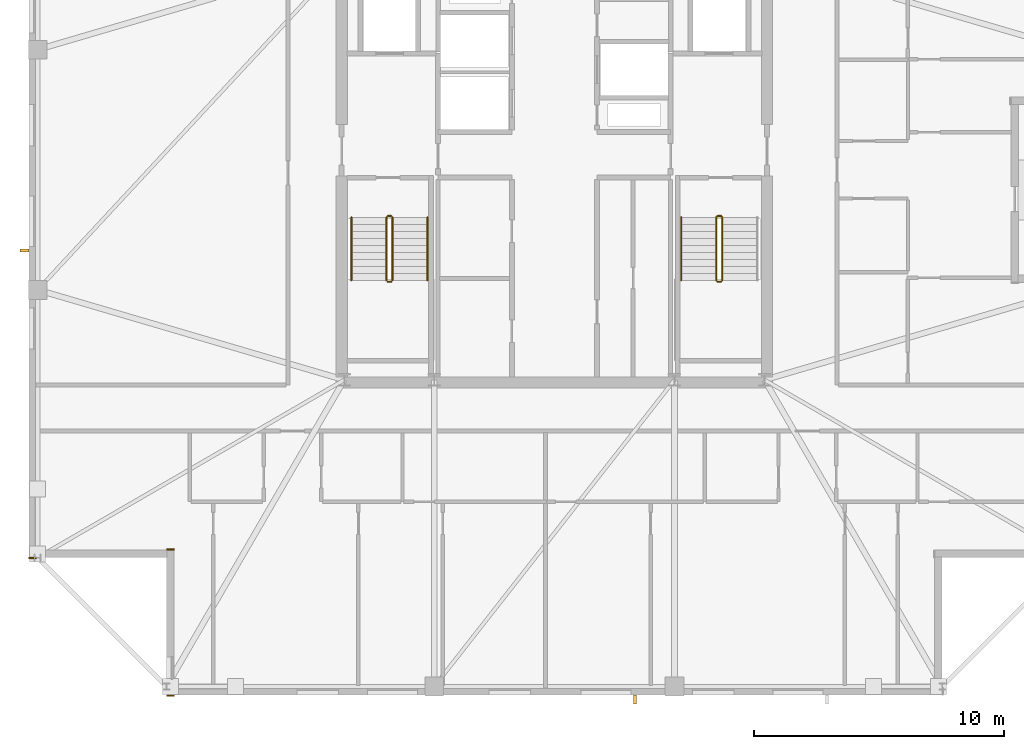
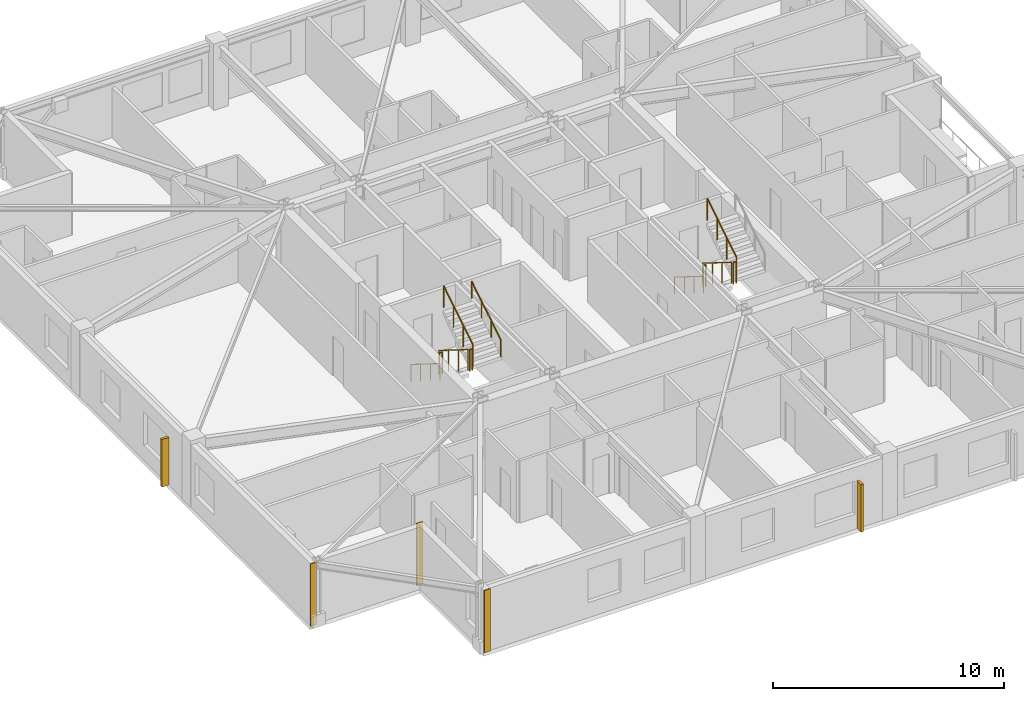
# One storey, part 12 of 14: 11 railings, 3 coverings, 2 shading devices.
"""IFC4 building model written with IfcOpenShell, lengths in metres."""

from ifc_helpers import new_model, si_unit, direction, frame, frame_2d, origin, origin_2d, place, context, subcontext, project, spatial, rectangle, circle, extrude, material, layer, layer_set, type_object, element, save


model = new_model("IFC4")

# Units and contexts
model_context = context("Model", 3, precision=1e-05, world=origin(), true_north=direction((0.0, 1.0)))
body_context = subcontext(model_context, "Body", "Model", "MODEL_VIEW")
ifc_project = project(units=[si_unit("LENGTHUNIT", "METRE"), si_unit("AREAUNIT", "SQUARE_METRE"), si_unit("VOLUMEUNIT", "CUBIC_METRE"), si_unit("PLANEANGLEUNIT", "RADIAN"), si_unit("MASSUNIT", "GRAM", prefix="KILO")], contexts=[model_context])

# Site, building, storey
site_placement = place(None, origin())
site = spatial("IfcSite", under=ifc_project, at=site_placement, CompositionType="ELEMENT")
building_placement = place(site_placement, origin())
building = spatial("IfcBuilding", under=site, at=building_placement, Name="Cairnveth Concourse Tower", CompositionType="ELEMENT")
storey_placement = place(building_placement, frame((0.0, 0.0, 301.5)))
storey = spatial("IfcBuildingStorey", under=building, at=storey_placement, Name="L83", CompositionType="ELEMENT", Elevation=301.5)

# Coverings
ifc_material_1 = material(Name="Dressed Melbourne Bluestone Cladding", Category="masonry")
ifc_layer = layer(ifc_material_1, 0.050048828125)
ifc_layer_set = layer_set([ifc_layer], Name="Dressed Melbourne Bluestone Cladding")
covering_type = type_object("IfcCoveringType", Name="DRESSED BLUESTONE PLINTH CLADDING 50", PredefinedType="CLADDING", material=ifc_layer_set)
for number, where, z_axis, x_axis, name in (
    (1, (36.800048828125, 17.97998046875, 0.0), (0.0, 0.0, 1.0), (-1.0, 0.0, 0.0), "Melbourne Bluestone Corner Quoin L83-1263"),
    (2, (36.800048828125, 23.820068359375, 0.0), (0.0, 0.0, 1.0), (-1.0, 0.0, 0.0), "Melbourne Bluestone Corner Quoin L83-1264"),
    (3, (31.300048828125, 23.47998046875, 0.0), (0.0, 0.0, 1.0), (-1.0, 0.0, 0.0), "Melbourne Bluestone Corner Quoin L83-1265"),
):
    element("IfcCovering", number, at=place(storey_placement, frame(where, z_axis=z_axis, x_axis=x_axis)), inside=storey, type_object=covering_type, Name=name, PredefinedType="CLADDING", context=body_context, shape_type="SweptSolid", body=[
        extrude(rectangle(XDim=0.300048828125, YDim=0.050048828125, at=frame_2d((0.14990234375, 0.0))), origin(), (0.0, 0.0, 1.0), 3.2900390625),
    ])

# Shading devices
ifc_material_2 = material(Name="Architectural Bronze Anodised Aluminium 6063-T6", Category="aluminium")
shading_device_type = type_object("IfcShadingDeviceType", Name="GOTHIC BRONZE VERTICAL LANCET FIN", PredefinedType="USERDEFINED", material=ifc_material_2)
for number, where, z_axis, x_axis, name in (
    (4, (55.217529296875, 17.824951171875, 0.030029296875), (0.0, 0.0, 1.0), (1.0, 0.0, 0.0), "Gothic Bronze Vertical Fin L83-3-3"),
    (5, (30.824951171875, 35.782470703125, 0.030029296875), (0.0, 0.0, 1.0), (0.0, 1.0, 0.0), "Gothic Bronze Vertical Fin L83-6-3"),
):
    element("IfcShadingDevice", number, at=place(storey_placement, frame(where, z_axis=z_axis, x_axis=x_axis)), inside=storey, type_object=shading_device_type, Name=name, ObjectType="VERTICAL FIN", PredefinedType="USERDEFINED", context=body_context, shape_type="SweptSolid", body=[
        extrude(rectangle(XDim=0.1201171875, YDim=0.360107421875, at=origin_2d()), origin(), (0.0, 0.0, 1.0), 2.51806640625),
    ])

# Railings
ifc_material_3 = material(Name="Steel Grade 350", Category="steel")
railing_type_1 = type_object("IfcRailingType", Name="STAIR GUARDRAIL 1150", PredefinedType="GUARDRAIL", material=ifc_material_3)
railing_1_placement = place(storey_placement, frame((45.2900390625, 37.10009765625, 0.175048828125)))
element("IfcRailing", 6, at=railing_1_placement, inside=storey, type_object=railing_type_1, Name="L83 ST-1 stair guard 1", PredefinedType="GUARDRAIL", context=body_context, shape_type="SweptSolid", body=[
    extrude(circle(Radius=0.02392578125, at=origin_2d()), frame((0.0, 0.0, 1.1259765625), z_axis=(0.0, -0.848007534815, 0.529984170421), x_axis=(1.0, 0.0, 0.0)), (0.0, 0.0, 1.0), 2.9716796875),
    extrude(circle(Radius=0.02099609375, at=origin_2d()), origin(), (0.0, 0.0, 1.0), 1.101806640625),
    extrude(circle(Radius=0.02099609375, at=origin_2d()), frame((0.0, -0.840087890625, 0.52490234375)), (0.0, 0.0, 1.0), 1.101806640625),
    extrude(circle(Radius=0.02099609375, at=origin_2d()), frame((0.0, -1.679931640625, 1.050048828125)), (0.0, 0.0, 1.0), 1.101806640625),
    extrude(circle(Radius=0.02099609375, at=origin_2d()), frame((0.0, -2.52001953125, 1.574951171875)), (0.0, 0.0, 1.0), 1.101806640625),
])
railing_2_placement = place(storey_placement, frame((45.340087890625, 34.530029296875, 1.75)))
element("IfcRailing", 7, at=railing_2_placement, inside=storey, type_object=railing_type_1, Name="L83 ST-1 stair guard 2", PredefinedType="GUARDRAIL", context=body_context, shape_type="SweptSolid", body=[
    extrude(circle(Radius=0.02392578125, at=origin_2d()), frame((0.0, 0.0, 1.1259765625), z_axis=(1.0, 0.0, 0.0), x_axis=(0.0, 1.0, 0.0)), (0.0, 0.0, 1.0), 0.139892578125),
    extrude(circle(Radius=0.02099609375, at=origin_2d()), origin(), (0.0, 0.0, 1.0), 1.101806640625),
    extrude(circle(Radius=0.02099609375, at=origin_2d()), frame((0.139892578125, 0.0, 0.0)), (0.0, 0.0, 1.0), 1.101806640625),
])
railing_3_placement = place(storey_placement, frame((45.530029296875, 34.580078125, 1.925048828125)))
element("IfcRailing", 8, at=railing_3_placement, inside=storey, type_object=railing_type_1, Name="L83 ST-1 stair guard 3", PredefinedType="GUARDRAIL", context=body_context, shape_type="SweptSolid", body=[
    extrude(circle(Radius=0.02392578125, at=origin_2d()), frame((0.0, 0.0, 1.1259765625), z_axis=(0.0, 0.848007534815, 0.529984170421), x_axis=(-1.0, 0.0, 0.0)), (0.0, 0.0, 1.0), 2.9716796875),
    extrude(circle(Radius=0.02099609375, at=origin_2d()), origin(), (0.0, 0.0, 1.0), 1.101806640625),
    extrude(circle(Radius=0.02099609375, at=origin_2d()), frame((0.0, 0.840087890625, 0.52490234375)), (0.0, 0.0, 1.0), 1.101806640625),
    extrude(circle(Radius=0.02099609375, at=origin_2d()), frame((0.0, 1.679931640625, 1.050048828125)), (0.0, 0.0, 1.0), 1.101806640625),
    extrude(circle(Radius=0.02099609375, at=origin_2d()), frame((0.0, 2.52001953125, 1.574951171875)), (0.0, 0.0, 1.0), 1.101806640625),
])
railing_4_placement = place(storey_placement, frame((45.340087890625, 37.14990234375, 0.0)))
element("IfcRailing", 9, at=railing_4_placement, inside=storey, type_object=railing_type_1, Name="L83 ST-1 stair guard 4", PredefinedType="GUARDRAIL", context=body_context, shape_type="SweptSolid", body=[
    extrude(circle(Radius=0.02392578125, at=origin_2d()), frame((0.0, 0.0, 1.1259765625), z_axis=(1.0, 0.0, 0.0), x_axis=(0.0, 1.0, 0.0)), (0.0, 0.0, 1.0), 0.139892578125),
    extrude(circle(Radius=0.02099609375, at=origin_2d()), origin(), (0.0, 0.0, 1.0), 1.101806640625),
    extrude(circle(Radius=0.02099609375, at=origin_2d()), frame((0.139892578125, 0.0, 0.0)), (0.0, 0.0, 1.0), 1.101806640625),
])
railing_5_placement = place(storey_placement, frame((58.469970703125, 37.10009765625, 0.175048828125)))
element("IfcRailing", 10, at=railing_5_placement, inside=storey, type_object=railing_type_1, Name="L83 ST-2 stair guard 1", PredefinedType="GUARDRAIL", context=body_context, shape_type="SweptSolid", body=[
    extrude(circle(Radius=0.02392578125, at=origin_2d()), frame((0.0, 0.0, 1.1259765625), z_axis=(0.0, -0.848007534815, 0.529984170421), x_axis=(1.0, 0.0, 0.0)), (0.0, 0.0, 1.0), 2.9716796875),
    extrude(circle(Radius=0.02099609375, at=origin_2d()), origin(), (0.0, 0.0, 1.0), 1.101806640625),
    extrude(circle(Radius=0.02099609375, at=origin_2d()), frame((0.0, -0.840087890625, 0.52490234375)), (0.0, 0.0, 1.0), 1.101806640625),
    extrude(circle(Radius=0.02099609375, at=origin_2d()), frame((0.0, -1.679931640625, 1.050048828125)), (0.0, 0.0, 1.0), 1.101806640625),
    extrude(circle(Radius=0.02099609375, at=origin_2d()), frame((0.0, -2.52001953125, 1.574951171875)), (0.0, 0.0, 1.0), 1.101806640625),
])
railing_6_placement = place(storey_placement, frame((58.52001953125, 34.530029296875, 1.75)))
element("IfcRailing", 11, at=railing_6_placement, inside=storey, type_object=railing_type_1, Name="L83 ST-2 stair guard 2", PredefinedType="GUARDRAIL", context=body_context, shape_type="SweptSolid", body=[
    extrude(circle(Radius=0.02392578125, at=origin_2d()), frame((0.0, 0.0, 1.1259765625), z_axis=(1.0, 0.0, 0.0), x_axis=(0.0, 1.0, 0.0)), (0.0, 0.0, 1.0), 0.139892578125),
    extrude(circle(Radius=0.02099609375, at=origin_2d()), origin(), (0.0, 0.0, 1.0), 1.101806640625),
    extrude(circle(Radius=0.02099609375, at=origin_2d()), frame((0.139892578125, 0.0, 0.0)), (0.0, 0.0, 1.0), 1.101806640625),
])
railing_7_placement = place(storey_placement, frame((58.7099609375, 34.580078125, 1.925048828125)))
element("IfcRailing", 12, at=railing_7_placement, inside=storey, type_object=railing_type_1, Name="L83 ST-2 stair guard 3", PredefinedType="GUARDRAIL", context=body_context, shape_type="SweptSolid", body=[
    extrude(circle(Radius=0.02392578125, at=origin_2d()), frame((0.0, 0.0, 1.1259765625), z_axis=(0.0, 0.848007534815, 0.529984170421), x_axis=(-1.0, 0.0, 0.0)), (0.0, 0.0, 1.0), 2.9716796875),
    extrude(circle(Radius=0.02099609375, at=origin_2d()), origin(), (0.0, 0.0, 1.0), 1.101806640625),
    extrude(circle(Radius=0.02099609375, at=origin_2d()), frame((0.0, 0.840087890625, 0.52490234375)), (0.0, 0.0, 1.0), 1.101806640625),
    extrude(circle(Radius=0.02099609375, at=origin_2d()), frame((0.0, 1.679931640625, 1.050048828125)), (0.0, 0.0, 1.0), 1.101806640625),
    extrude(circle(Radius=0.02099609375, at=origin_2d()), frame((0.0, 2.52001953125, 1.574951171875)), (0.0, 0.0, 1.0), 1.101806640625),
])
railing_8_placement = place(storey_placement, frame((58.52001953125, 37.14990234375, 0.0)))
element("IfcRailing", 13, at=railing_8_placement, inside=storey, type_object=railing_type_1, Name="L83 ST-2 stair guard 4", PredefinedType="GUARDRAIL", context=body_context, shape_type="SweptSolid", body=[
    extrude(circle(Radius=0.02392578125, at=origin_2d()), frame((0.0, 0.0, 1.1259765625), z_axis=(1.0, 0.0, 0.0), x_axis=(0.0, 1.0, 0.0)), (0.0, 0.0, 1.0), 0.139892578125),
    extrude(circle(Radius=0.02099609375, at=origin_2d()), origin(), (0.0, 0.0, 1.0), 1.101806640625),
    extrude(circle(Radius=0.02099609375, at=origin_2d()), frame((0.139892578125, 0.0, 0.0)), (0.0, 0.0, 1.0), 1.101806640625),
])
railing_type_2 = type_object("IfcRailingType", Name="STAIR WALL HANDRAIL 900", PredefinedType="HANDRAIL", material=ifc_material_3)
railing_9_placement = place(storey_placement, frame((43.889892578125, 37.10009765625, 0.175048828125)))
element("IfcRailing", 14, at=railing_9_placement, inside=storey, type_object=railing_type_2, Name="L83 ST-1 stair handrail 1", PredefinedType="HANDRAIL", context=body_context, shape_type="SweptSolid", body=[
    extrude(circle(Radius=0.02392578125, at=origin_2d()), frame((0.0, 0.0, 0.8759765625), z_axis=(0.0, -0.848007534815, 0.529984170421), x_axis=(1.0, 0.0, 0.0)), (0.0, 0.0, 1.0), 2.9716796875),
    extrude(circle(Radius=0.02099609375, at=origin_2d()), origin(), (0.0, 0.0, 1.0), 0.851806640625),
    extrude(circle(Radius=0.02099609375, at=origin_2d()), frame((0.0, -0.840087890625, 0.52490234375)), (0.0, 0.0, 1.0), 0.851806640625),
    extrude(circle(Radius=0.02099609375, at=origin_2d()), frame((0.0, -1.679931640625, 1.050048828125)), (0.0, 0.0, 1.0), 0.851806640625),
    extrude(circle(Radius=0.02099609375, at=origin_2d()), frame((0.0, -2.52001953125, 1.574951171875)), (0.0, 0.0, 1.0), 0.851806640625),
])
railing_10_placement = place(storey_placement, frame((46.929931640625, 34.580078125, 1.925048828125)))
element("IfcRailing", 15, at=railing_10_placement, inside=storey, type_object=railing_type_2, Name="L83 ST-1 stair handrail 2", PredefinedType="HANDRAIL", context=body_context, shape_type="SweptSolid", body=[
    extrude(circle(Radius=0.02392578125, at=origin_2d()), frame((0.0, 0.0, 0.8759765625), z_axis=(0.0, 0.848007534815, 0.529984170421), x_axis=(-1.0, 0.0, 0.0)), (0.0, 0.0, 1.0), 2.9716796875),
    extrude(circle(Radius=0.02099609375, at=origin_2d()), origin(), (0.0, 0.0, 1.0), 0.851806640625),
    extrude(circle(Radius=0.02099609375, at=origin_2d()), frame((0.0, 0.840087890625, 0.52490234375)), (0.0, 0.0, 1.0), 0.851806640625),
    extrude(circle(Radius=0.02099609375, at=origin_2d()), frame((0.0, 1.679931640625, 1.050048828125)), (0.0, 0.0, 1.0), 0.851806640625),
    extrude(circle(Radius=0.02099609375, at=origin_2d()), frame((0.0, 2.52001953125, 1.574951171875)), (0.0, 0.0, 1.0), 0.851806640625),
])
railing_11_placement = place(storey_placement, frame((57.070068359375, 37.10009765625, 0.175048828125)))
element("IfcRailing", 16, at=railing_11_placement, inside=storey, type_object=railing_type_2, Name="L83 ST-2 stair handrail 1", PredefinedType="HANDRAIL", context=body_context, shape_type="SweptSolid", body=[
    extrude(circle(Radius=0.02392578125, at=origin_2d()), frame((0.0, 0.0, 0.8759765625), z_axis=(0.0, -0.848007534815, 0.529984170421), x_axis=(1.0, 0.0, 0.0)), (0.0, 0.0, 1.0), 2.9716796875),
    extrude(circle(Radius=0.02099609375, at=origin_2d()), origin(), (0.0, 0.0, 1.0), 0.851806640625),
    extrude(circle(Radius=0.02099609375, at=origin_2d()), frame((0.0, -0.840087890625, 0.52490234375)), (0.0, 0.0, 1.0), 0.851806640625),
    extrude(circle(Radius=0.02099609375, at=origin_2d()), frame((0.0, -1.679931640625, 1.050048828125)), (0.0, 0.0, 1.0), 0.851806640625),
    extrude(circle(Radius=0.02099609375, at=origin_2d()), frame((0.0, -2.52001953125, 1.574951171875)), (0.0, 0.0, 1.0), 0.851806640625),
])

save(model, "model.ifc")
